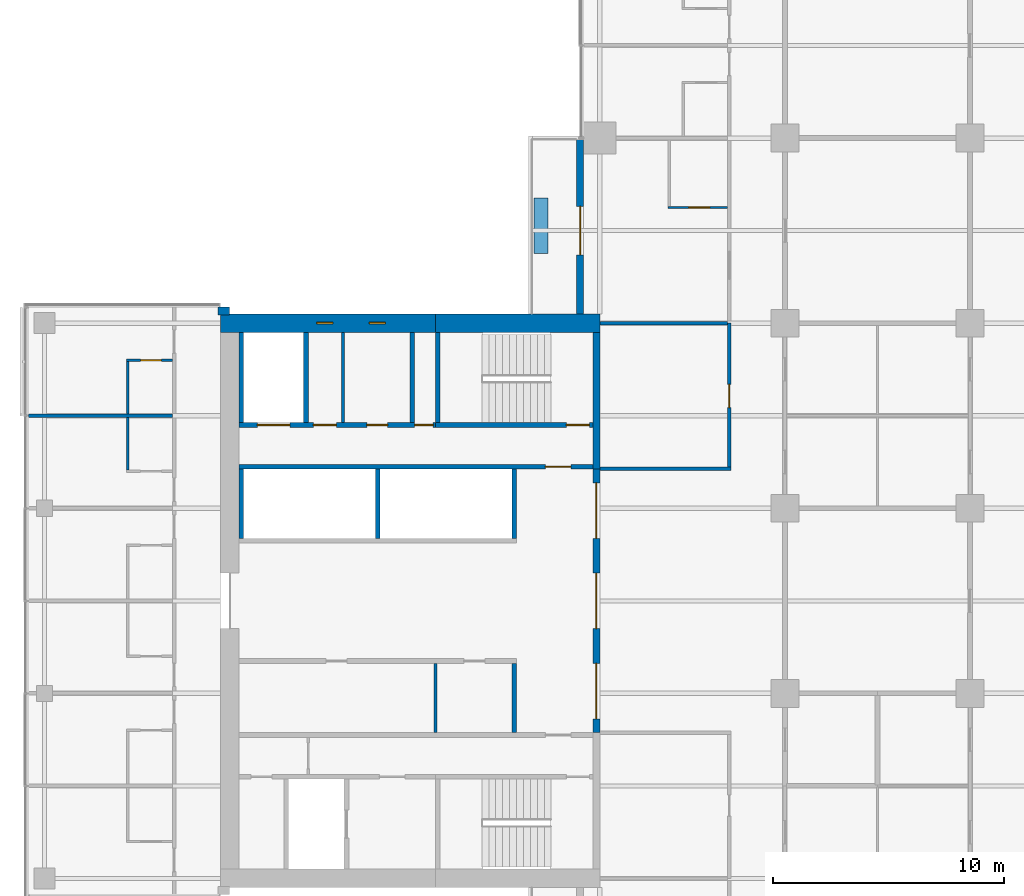
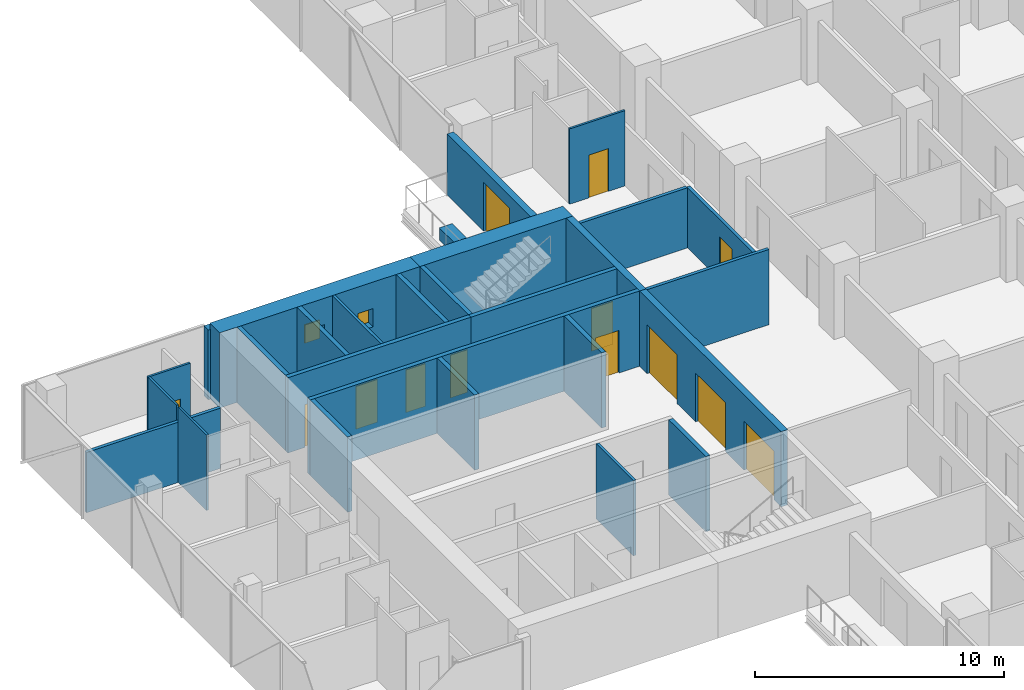
# One storey, part 19 of 29: 28 walls, 13 doors, 2 windows, 15 openings.
"""IFC4 building model written with IfcOpenShell, lengths in metres."""

from ifc_helpers import new_model, si_unit, direction, frame, frame_2d, origin, place, context, subcontext, project, spatial, rectangle, extrude, material, layer, layer_set, constituent, constituent_set, type_object, element, fill, save


model = new_model("IFC4")

# Units and contexts
model_context = context("Model", 3, precision=1e-05, world=origin(), true_north=direction((0.0, 1.0)))
body_context = subcontext(model_context, "Body", "Model", "MODEL_VIEW")
ifc_project = project(units=[si_unit("LENGTHUNIT", "METRE"), si_unit("AREAUNIT", "SQUARE_METRE"), si_unit("VOLUMEUNIT", "CUBIC_METRE"), si_unit("PLANEANGLEUNIT", "RADIAN"), si_unit("MASSUNIT", "GRAM", prefix="KILO")], contexts=[model_context])

# Site, building, storey
site_placement = place(None, origin())
site = spatial("IfcSite", under=ifc_project, at=site_placement, CompositionType="ELEMENT")
building_placement = place(site_placement, origin())
building = spatial("IfcBuilding", under=site, at=building_placement, Name="Crosswind Convention Tower", CompositionType="ELEMENT")
storey_placement = place(building_placement, frame((0.0, 0.0, 57.199951171875)))
storey = spatial("IfcBuildingStorey", under=building, at=storey_placement, Name="L08", CompositionType="ELEMENT", Elevation=57.199951171875)

# Walls
ifc_material_1 = material(Name="Concrete blockwork", Category="masonry")
ifc_layer_1 = layer(ifc_material_1, 0.199951171875)
ifc_layer_set_1 = layer_set([ifc_layer_1], Name="Blockwork partition wall 200")
wall_type_1 = type_object("IfcWallType", Name="Blockwork partition wall 200", PredefinedType="PARTITIONING", material=ifc_layer_set_1)
wall_1_placement = place(storey_placement, frame((104.89990234375, 111.60009765625, 0.0), z_axis=(0.0, 0.0, 1.0), x_axis=(0.0, -1.0, 0.0)))
element("IfcWall", 1, at=wall_1_placement, inside=storey, type_object=wall_type_1, Name="Wall MRSE W L08", PredefinedType="PARTITIONING", context=body_context, shape_type="SweptSolid", body=[
    extrude(rectangle(XDim=3.900146484375, YDim=0.199951171875, at=frame_2d((1.9501953125, 0.0))), origin(), (0.0, 0.0, 1.0), 3.699951171875),
])
ifc_material_2 = material(Name="Plasterboard partition", Category="gypsum")
ifc_layer_2 = layer(ifc_material_2, 0.14990234375)
ifc_layer_set_2 = layer_set([ifc_layer_2], Name="CORRIDOR WALL 150")
wall_type_2 = type_object("IfcWallType", Name="CORRIDOR WALL 150", PredefinedType="PARTITIONING", material=ifc_layer_set_2)
wall_2_placement = place(storey_placement, frame((113.0, 105.699951171875, 0.0), z_axis=(0.0, 0.0, 1.0), x_axis=(1.0, 0.0, 0.0)))
element("IfcWall", 2, at=wall_2_placement, inside=storey, type_object=wall_type_2, Name="Corridor Wall 54", PredefinedType="PARTITIONING", context=body_context, shape_type="SweptSolid", body=[
    extrude(rectangle(XDim=5.675048828125, YDim=0.14990234375, at=frame_2d((2.83740234375, 0.0))), origin(), (0.0, 0.0, 1.0), 3.699951171875),
])

# Wall, opening, door
wall_3_placement = place(storey_placement, frame((118.60009765625, 105.77490234375, 0.0), z_axis=(0.0, 0.0, 1.0), x_axis=(0.0, 1.0, 0.0)))
wall_3 = element("IfcWall", 3, at=wall_3_placement, inside=storey, type_object=wall_type_2, Name="Corridor Wall 105", PredefinedType="PARTITIONING", context=body_context, shape_type="SweptSolid", body=[
    extrude(rectangle(XDim=6.22509765625, YDim=0.14990234375, at=frame_2d((3.112548828125, 0.0))), origin(), (0.0, 0.0, 1.0), 2.95654296875),
])
opening_1_placement = place(wall_3_placement, frame((2.574951171875, 0.0, 0.0)))
opening_1 = element("IfcOpeningElement", 4, at=opening_1_placement, cuts=wall_3, Name="Opening 08.003", PredefinedType="OPENING", context=body_context, shape_type="SweptSolid", body=[
    extrude(rectangle(XDim=1.0, YDim=2.10009765625, at=frame_2d((0.5, 1.050048828125))), frame((0.0, 0.0849609375, 0.0), z_axis=(0.0, -1.0, 0.0), x_axis=(1.0, 0.0, 0.0)), (0.0, 0.0, 1.0), 0.169921875),
])
ifc_material_3 = material(Name="Timber fire door", Category="wood")
door_type_1 = type_object("IfcDoorType", Name="SERVICE ROOM DOOR 1000X2100", OperationType="NOTDEFINED", PredefinedType="DOOR", material=ifc_material_3)
door_1_placement = place(opening_1_placement, origin())
door_1 = element("IfcDoor", 5, at=door_1_placement, inside=storey, type_object=door_type_1, Name="Door 08.003", ObjectType="D3", OperationType="SINGLE_SWING_RIGHT", OverallHeight=2.10009765625, OverallWidth=1.0, PredefinedType="DOOR", context=body_context, shape_type="SweptSolid", body=[
    extrude(rectangle(XDim=1.0, YDim=2.10009765625, at=frame_2d((0.5, 1.050048828125))), frame((0.0, 0.02490234375, 0.0), z_axis=(0.0, -1.0, 0.0), x_axis=(1.0, 0.0, 0.0)), (0.0, 0.0, 1.0), 0.050048828125),
])
fill(opening_1, door_1)

# Wall, openings, doors
ifc_material_4 = material(Name="Concrete C50/60", Category="concrete")
ifc_layer_3 = layer(ifc_material_4, 0.300048828125)
ifc_layer_set_3 = layer_set([ifc_layer_3], Name="Concrete C50/60")
wall_type_3 = type_object("IfcWallType", Name="Concrete inner core wall 300", PredefinedType="SHEAR", material=ifc_layer_set_3)
wall_4_placement = place(storey_placement, frame((112.85009765625, 105.699951171875, 0.0), z_axis=(0.0, 0.0, 1.0), x_axis=(0.0, -1.0, 0.0)))
wall_4 = element("IfcWall", 6, at=wall_4_placement, inside=storey, type_object=wall_type_3, Name="Wall SCR W L08", PredefinedType="SHEAR", context=body_context, shape_type="SweptSolid", body=[
    extrude(rectangle(XDim=11.39990234375, YDim=0.300048828125, at=frame_2d((5.699951171875, 0.0))), origin(), (0.0, 0.0, 1.0), 3.699951171875),
])
opening_2_placement = place(wall_4_placement, frame((0.60009765625, 0.0, 0.0)))
opening_2 = element("IfcOpeningElement", 7, at=opening_2_placement, cuts=wall_4, Name="Opening D100", PredefinedType="OPENING", context=body_context, shape_type="SweptSolid", body=[
    extrude(rectangle(XDim=2.39990234375, YDim=2.39990234375, at=frame_2d((1.199951171875, 1.199951171875))), frame((0.0, 0.159912109375, 0.0), z_axis=(0.0, -1.0, 0.0), x_axis=(1.0, 0.0, 0.0)), (0.0, 0.0, 1.0), 0.320068359375),
])
opening_3_placement = place(wall_4_placement, frame((4.5, 0.0, 0.0)))
opening_3 = element("IfcOpeningElement", 8, at=opening_3_placement, cuts=wall_4, Name="Opening D100", PredefinedType="OPENING", context=body_context, shape_type="SweptSolid", body=[
    extrude(rectangle(XDim=2.39990234375, YDim=2.39990234375, at=frame_2d((1.199951171875, 1.199951171875))), frame((0.0, 0.159912109375, 0.0), z_axis=(0.0, -1.0, 0.0), x_axis=(1.0, 0.0, 0.0)), (0.0, 0.0, 1.0), 0.320068359375),
])
opening_4_placement = place(wall_4_placement, frame((8.39990234375, 0.0, 0.0)))
opening_4 = element("IfcOpeningElement", 9, at=opening_4_placement, cuts=wall_4, Name="Opening D100", PredefinedType="OPENING", context=body_context, shape_type="SweptSolid", body=[
    extrude(rectangle(XDim=2.39990234375, YDim=2.39990234375, at=frame_2d((1.199951171875, 1.199951171875))), frame((0.0, 0.159912109375, 0.0), z_axis=(0.0, -1.0, 0.0), x_axis=(1.0, 0.0, 0.0)), (0.0, 0.0, 1.0), 0.320068359375),
])
ifc_material_5 = material(Name="Steel fire door with glazed vision panels", Category="steel")
door_type_2 = type_object("IfcDoorType", Name="Fire-rated double door 2400x2400", OperationType="DOUBLE_DOOR_SINGLE_SWING", PredefinedType="DOOR", material=ifc_material_5)
door_2_placement = place(opening_2_placement, origin())
door_2 = element("IfcDoor", 10, at=door_2_placement, inside=storey, type_object=door_type_2, Name="Lobby door 1 L08", ObjectType="D100", OperationType="DOUBLE_DOOR_SINGLE_SWING", OverallHeight=2.39990234375, OverallWidth=2.39990234375, PredefinedType="DOOR", context=body_context, shape_type="SweptSolid", body=[
    extrude(rectangle(XDim=2.39990234375, YDim=2.39990234375, at=frame_2d((1.199951171875, 1.199951171875))), frame((0.0, 0.02490234375, 0.0), z_axis=(0.0, -1.0, 0.0), x_axis=(1.0, 0.0, 0.0)), (0.0, 0.0, 1.0), 0.050048828125),
])
fill(opening_2, door_2)
door_3_placement = place(opening_3_placement, origin())
door_3 = element("IfcDoor", 11, at=door_3_placement, inside=storey, type_object=door_type_2, Name="Lobby door 2 L08", ObjectType="D100", OperationType="DOUBLE_DOOR_SINGLE_SWING", OverallHeight=2.39990234375, OverallWidth=2.39990234375, PredefinedType="DOOR", context=body_context, shape_type="SweptSolid", body=[
    extrude(rectangle(XDim=2.39990234375, YDim=2.39990234375, at=frame_2d((1.199951171875, 1.199951171875))), frame((0.0, 0.02490234375, 0.0), z_axis=(0.0, -1.0, 0.0), x_axis=(1.0, 0.0, 0.0)), (0.0, 0.0, 1.0), 0.050048828125),
])
fill(opening_3, door_3)
door_4_placement = place(opening_4_placement, origin())
door_4 = element("IfcDoor", 12, at=door_4_placement, inside=storey, type_object=door_type_2, Name="Lobby door 3 L08", ObjectType="D100", OperationType="DOUBLE_DOOR_SINGLE_SWING", OverallHeight=2.39990234375, OverallWidth=2.39990234375, PredefinedType="DOOR", context=body_context, shape_type="SweptSolid", body=[
    extrude(rectangle(XDim=2.39990234375, YDim=2.39990234375, at=frame_2d((1.199951171875, 1.199951171875))), frame((0.0, 0.02490234375, 0.0), z_axis=(0.0, -1.0, 0.0), x_axis=(1.0, 0.0, 0.0)), (0.0, 0.0, 1.0), 0.050048828125),
])
fill(opening_4, door_4)

# Walls
wall_5_placement = place(storey_placement, frame((112.85009765625, 111.60009765625, 0.0), z_axis=(0.0, 0.0, 1.0), x_axis=(0.0, -1.0, 0.0)))
element("IfcWall", 13, at=wall_5_placement, inside=storey, type_object=wall_type_3, Name="Wall EM W L08", PredefinedType="SHEAR", context=body_context, shape_type="SweptSolid", body=[
    extrude(rectangle(XDim=5.900146484375, YDim=0.300048828125, at=frame_2d((2.9501953125, 0.0))), origin(), (0.0, 0.0, 1.0), 3.699951171875),
])
ifc_layer_4 = layer(ifc_material_4, 0.199951171875)
ifc_layer_set_4 = layer_set([ifc_layer_4], Name="Concrete C50/60")
wall_type_4 = type_object("IfcWallType", Name="Concrete shaft and stair wall 200", PredefinedType="SHEAR", material=ifc_layer_set_4)
for number, where, z_axis, x_axis, name in (
    (14, (109.300048828125, 97.300048828125, 0.0), (0.0, 0.0, 1.0), (0.0, -1.0, 0.0), "Wall RPEND W L08"),
    (15, (109.300048828125, 105.699951171875, 0.0), (0.0, 0.0, 1.0), (0.0, -1.0, 0.0), "Wall RMEND W L08"),
    (16, (103.39990234375, 105.699951171875, 0.0), (0.0, 0.0, 1.0), (0.0, -1.0, 0.0), "Wall RMSEP W L08"),
    (17, (97.5, 105.699951171875, 0.0), (0.0, 0.0, 1.0), (0.0, -1.0, 0.0), "Wall RMEAST W L08"),
):
    element("IfcWall", number, at=place(storey_placement, frame(where, z_axis=z_axis, x_axis=x_axis)), inside=storey, type_object=wall_type_4, Name=name, PredefinedType="SHEAR", context=body_context, shape_type="SweptSolid", body=[
        extrude(rectangle(XDim=3.0, YDim=0.199951171875, at=frame_2d((1.5, 0.0))), origin(), (0.0, 0.0, 1.0), 3.699951171875),
    ])

# Wall, opening, door
wall_6_placement = place(storey_placement, frame((112.699951171875, 105.800048828125, 0.0), z_axis=(0.0, 0.0, 1.0), x_axis=(-1.0, 0.0, 0.0)))
wall_6 = element("IfcWall", 18, at=wall_6_placement, inside=storey, type_object=wall_type_4, Name="Wall HM W L08", PredefinedType="SHEAR", context=body_context, shape_type="SweptSolid", body=[
    extrude(rectangle(XDim=15.300048828125, YDim=0.199951171875, at=frame_2d((7.64990234375, 0.0))), origin(), (0.0, 0.0, 1.0), 3.699951171875),
])
opening_5_placement = place(wall_6_placement, frame((0.949951171875, 0.0, 0.0)))
opening_5 = element("IfcOpeningElement", 19, at=opening_5_placement, cuts=wall_6, Name="Opening D104", PredefinedType="OPENING", context=body_context, shape_type="SweptSolid", body=[
    extrude(rectangle(XDim=1.10009765625, YDim=2.10009765625, at=frame_2d((0.550048828125, 1.050048828125))), frame((0.0, 0.10986328125, 0.0), z_axis=(0.0, -1.0, 0.0), x_axis=(1.0, 0.0, 0.0)), (0.0, 0.0, 1.0), 0.219970703125),
])
ifc_material_6 = material(Name="Steel fire door", Category="steel")
door_type_3 = type_object("IfcDoorType", Name="Fire-rated single door 1100x2100", OperationType="NOTDEFINED", PredefinedType="DOOR", material=ifc_material_6)
door_5_placement = place(opening_5_placement, origin())
door_5 = element("IfcDoor", 20, at=door_5_placement, inside=storey, type_object=door_type_3, Name="Corridor door L08", ObjectType="D104", OperationType="SINGLE_SWING_LEFT", OverallHeight=2.10009765625, OverallWidth=1.10009765625, PredefinedType="DOOR", context=body_context, shape_type="SweptSolid", body=[
    extrude(rectangle(XDim=1.10009765625, YDim=2.10009765625, at=frame_2d((0.550048828125, 1.050048828125))), frame((0.0, 0.02490234375, 0.0), z_axis=(0.0, -1.0, 0.0), x_axis=(1.0, 0.0, 0.0)), (0.0, 0.0, 1.0), 0.050048828125),
])
fill(opening_5, door_5)

# Walls
for number, where, z_axis, x_axis, name in (
    (21, (106.0, 111.60009765625, 0.0), (0.0, 0.0, 1.0), (0.0, -1.0, 0.0), "Wall MSE W L08"),
    (22, (100.300048828125, 111.60009765625, 0.0), (0.0, 0.0, 1.0), (0.0, -1.0, 0.0), "Wall MFSW W L08"),
    (23, (97.5, 111.60009765625, 0.0), (0.0, 0.0, 1.0), (0.0, -1.0, 0.0), "Wall MFSE W L08"),
):
    element("IfcWall", number, at=place(storey_placement, frame(where, z_axis=z_axis, x_axis=x_axis)), inside=storey, type_object=wall_type_4, Name=name, PredefinedType="SHEAR", context=body_context, shape_type="SweptSolid", body=[
        extrude(rectangle(XDim=3.900146484375, YDim=0.199951171875, at=frame_2d((1.9501953125, 0.0))), origin(), (0.0, 0.0, 1.0), 3.699951171875),
    ])

# Wall, opening, door
wall_7_placement = place(storey_placement, frame((112.699951171875, 107.60009765625, 0.0), z_axis=(0.0, 0.0, 1.0), x_axis=(-1.0, 0.0, 0.0)))
wall_7 = element("IfcWall", 24, at=wall_7_placement, inside=storey, type_object=wall_type_4, Name="Wall MCW W L08", PredefinedType="SHEAR", context=body_context, shape_type="SweptSolid", body=[
    extrude(rectangle(XDim=6.800048828125, YDim=0.199951171875, at=frame_2d((3.39990234375, 0.0))), origin(), (0.0, 0.0, 1.0), 3.699951171875),
])
opening_6_placement = place(wall_7_placement, frame((0.14990234375, 0.0, 0.0)))
opening_6 = element("IfcOpeningElement", 25, at=opening_6_placement, cuts=wall_7, Name="Opening D103", PredefinedType="OPENING", context=body_context, shape_type="SweptSolid", body=[
    extrude(rectangle(XDim=1.0, YDim=2.10009765625, at=frame_2d((0.5, 1.050048828125))), frame((0.0, 0.10986328125, 0.0), z_axis=(0.0, -1.0, 0.0), x_axis=(1.0, 0.0, 0.0)), (0.0, 0.0, 1.0), 0.219970703125),
])
door_type_4 = type_object("IfcDoorType", Name="Fire-rated single door 1000x2100", OperationType="NOTDEFINED", PredefinedType="DOOR", material=ifc_material_6)
door_6_placement = place(opening_6_placement, frame((1.0, 0.0, 0.0), z_axis=(0.0, 0.0, 1.0), x_axis=(-1.0, 0.0, 0.0)))
door_6 = element("IfcDoor", 26, at=door_6_placement, inside=storey, type_object=door_type_4, Name="Stair ST4 door L08", ObjectType="D103", OperationType="SINGLE_SWING_RIGHT", OverallHeight=2.10009765625, OverallWidth=1.0, PredefinedType="DOOR", context=body_context, shape_type="SweptSolid", body=[
    extrude(rectangle(XDim=1.0, YDim=2.10009765625, at=frame_2d((0.5, 1.050048828125))), frame((0.0, 0.02490234375, 0.0), z_axis=(0.0, -1.0, 0.0), x_axis=(1.0, 0.0, 0.0)), (0.0, 0.0, 1.0), 0.050048828125),
])
fill(opening_6, door_6)

# Wall, openings, doors
wall_8_placement = place(storey_placement, frame((105.89990234375, 107.60009765625, 0.0), z_axis=(0.0, 0.0, 1.0), x_axis=(-1.0, 0.0, 0.0)))
wall_8 = element("IfcWall", 27, at=wall_8_placement, inside=storey, type_object=wall_type_4, Name="Wall MCX W L08", PredefinedType="SHEAR", context=body_context, shape_type="SweptSolid", body=[
    extrude(rectangle(XDim=8.5, YDim=0.199951171875, at=frame_2d((4.25, 0.0))), origin(), (0.0, 0.0, 1.0), 3.699951171875),
])
opening_7_placement = place(wall_8_placement, frame((0.10009765625, 0.0, 0.0)))
opening_7 = element("IfcOpeningElement", 28, at=opening_7_placement, cuts=wall_8, Name="Opening D105", PredefinedType="OPENING", context=body_context, shape_type="SweptSolid", body=[
    extrude(rectangle(XDim=0.800048828125, YDim=2.10009765625, at=frame_2d((0.39990234375, 1.050048828125))), frame((0.0, 0.10986328125, 0.0), z_axis=(0.0, -1.0, 0.0), x_axis=(1.0, 0.0, 0.0)), (0.0, 0.0, 1.0), 0.219970703125),
])
opening_8_placement = place(wall_8_placement, frame((2.07080078125, 0.0, 0.0)))
opening_8 = element("IfcOpeningElement", 29, at=opening_8_placement, cuts=wall_8, Name="Opening D106", PredefinedType="OPENING", context=body_context, shape_type="SweptSolid", body=[
    extrude(rectangle(XDim=0.89990234375, YDim=2.10009765625, at=frame_2d((0.449951171875, 1.050048828125))), frame((0.0, 0.10986328125, 0.0), z_axis=(0.0, -1.0, 0.0), x_axis=(1.0, 0.0, 0.0)), (0.0, 0.0, 1.0), 0.219970703125),
])
opening_9_placement = place(wall_8_placement, frame((4.283203125, 0.0, 0.0)))
opening_9 = element("IfcOpeningElement", 30, at=opening_9_placement, cuts=wall_8, Name="Opening D103", PredefinedType="OPENING", context=body_context, shape_type="SweptSolid", body=[
    extrude(rectangle(XDim=1.0, YDim=2.10009765625, at=frame_2d((0.5, 1.050048828125))), frame((0.0, 0.10986328125, 0.0), z_axis=(0.0, -1.0, 0.0), x_axis=(1.0, 0.0, 0.0)), (0.0, 0.0, 1.0), 0.219970703125),
])
opening_10_placement = place(wall_8_placement, frame((6.300048828125, 0.0, 0.0)))
opening_10 = element("IfcOpeningElement", 31, at=opening_10_placement, cuts=wall_8, Name="Opening LD2", PredefinedType="OPENING", context=body_context, shape_type="SweptSolid", body=[
    extrude(rectangle(XDim=1.39990234375, YDim=2.10009765625, at=frame_2d((0.699951171875, 1.050048828125))), frame((0.0, 0.10986328125, 0.0), z_axis=(0.0, -1.0, 0.0), x_axis=(1.0, 0.0, 0.0)), (0.0, 0.0, 1.0), 0.219970703125),
])
door_7_placement = place(opening_9_placement, frame((1.0, 0.0, 0.0), z_axis=(0.0, 0.0, 1.0), x_axis=(-1.0, 0.0, 0.0)))
door_7 = element("IfcDoor", 32, at=door_7_placement, inside=storey, type_object=door_type_4, Name="Door to accessible wc L08", ObjectType="D103", OperationType="SINGLE_SWING_LEFT", OverallHeight=2.10009765625, OverallWidth=1.0, PredefinedType="DOOR", context=body_context, shape_type="SweptSolid", body=[
    extrude(rectangle(XDim=1.0, YDim=2.10009765625, at=frame_2d((0.5, 1.050048828125))), frame((0.0, 0.02490234375, 0.0), z_axis=(0.0, -1.0, 0.0), x_axis=(1.0, 0.0, 0.0)), (0.0, 0.0, 1.0), 0.050048828125),
])
fill(opening_9, door_7)
ifc_material_7 = material(Name="Stainless steel", Category="steel")
door_type_5 = type_object("IfcDoorType", Name="Lift landing door 1400x2100", OperationType="DOUBLE_DOOR_SLIDING", PredefinedType="DOOR", material=ifc_material_7)
door_8_placement = place(opening_10_placement, origin())
door_8 = element("IfcDoor", 33, at=door_8_placement, inside=storey, type_object=door_type_5, Name="Landing door SV2 L08", ObjectType="LD2", OperationType="DOUBLE_DOOR_SLIDING", OverallHeight=2.10009765625, OverallWidth=1.39990234375, PredefinedType="DOOR", context=body_context, shape_type="SweptSolid", body=[
    extrude(rectangle(XDim=1.39990234375, YDim=2.10009765625, at=frame_2d((0.699951171875, 1.050048828125))), frame((0.0, 0.02490234375, 0.0), z_axis=(0.0, -1.0, 0.0), x_axis=(1.0, 0.0, 0.0)), (0.0, 0.0, 1.0), 0.050048828125),
])
fill(opening_10, door_8)
door_type_6 = type_object("IfcDoorType", Name="Riser access door 800x2100", OperationType="NOTDEFINED", PredefinedType="DOOR", material=ifc_material_6)
door_9_placement = place(opening_7_placement, frame((0.800048828125, 0.0, 0.0), z_axis=(0.0, 0.0, 1.0), x_axis=(-1.0, 0.0, 0.0)))
door_9 = element("IfcDoor", 34, at=door_9_placement, inside=storey, type_object=door_type_6, Name="Riser door L08", ObjectType="D105", OperationType="SINGLE_SWING_LEFT", OverallHeight=2.10009765625, OverallWidth=0.800048828125, PredefinedType="DOOR", context=body_context, shape_type="SweptSolid", body=[
    extrude(rectangle(XDim=0.800048828125, YDim=2.10009765625, at=frame_2d((0.39990234375, 1.050048828125))), frame((0.0, 0.02490234375, 0.0), z_axis=(0.0, -1.0, 0.0), x_axis=(1.0, 0.0, 0.0)), (0.0, 0.0, 1.0), 0.050048828125),
])
fill(opening_7, door_9)
ifc_material_8 = material(Name="Timber door", Category="wood")
door_type_7 = type_object("IfcDoorType", Name="Single leaf door 900x2100", OperationType="NOTDEFINED", PredefinedType="DOOR", material=ifc_material_8)
door_10_placement = place(opening_8_placement, frame((0.89990234375, 0.0, 0.0), z_axis=(0.0, 0.0, 1.0), x_axis=(-1.0, 0.0, 0.0)))
door_10 = element("IfcDoor", 35, at=door_10_placement, inside=storey, type_object=door_type_7, Name="Door to wc L08", ObjectType="D106", OperationType="SINGLE_SWING_LEFT", OverallHeight=2.10009765625, OverallWidth=0.89990234375, PredefinedType="DOOR", context=body_context, shape_type="SweptSolid", body=[
    extrude(rectangle(XDim=0.89990234375, YDim=2.10009765625, at=frame_2d((0.449951171875, 1.050048828125))), frame((0.0, 0.02490234375, 0.0), z_axis=(0.0, -1.0, 0.0), x_axis=(1.0, 0.0, 0.0)), (0.0, 0.0, 1.0), 0.050048828125),
])
fill(opening_8, door_10)

# Walls
ifc_material_9 = material(Name="Gypsum plasterboard partition", Category="gypsum")
ifc_layer_5 = layer(ifc_material_9, 0.125)
ifc_layer_set_5 = layer_set([ifc_layer_5], Name="Drywall partition wall 125")
wall_type_5 = type_object("IfcWallType", Name="Drywall partition wall 125", PredefinedType="PARTITIONING", material=ifc_layer_set_5)
wall_9_placement = place(storey_placement, frame((105.89599609375, 97.300048828125, 0.0), z_axis=(0.0, 0.0, 1.0), x_axis=(0.0, -1.0, 0.0)))
element("IfcWall", 36, at=wall_9_placement, inside=storey, type_object=wall_type_5, Name="Wall RPP1 W L08", PredefinedType="PARTITIONING", context=body_context, shape_type="SweptSolid", body=[
    extrude(rectangle(XDim=3.0, YDim=0.125, at=frame_2d((1.5, 0.0))), origin(), (0.0, 0.0, 1.0), 3.699951171875),
])
wall_10_placement = place(storey_placement, frame((101.89599609375, 111.60009765625, 0.0), z_axis=(0.0, 0.0, 1.0), x_axis=(0.0, -1.0, 0.0)))
element("IfcWall", 37, at=wall_10_placement, inside=storey, type_object=wall_type_5, Name="Wall MWP1 W L08", PredefinedType="PARTITIONING", context=body_context, shape_type="SweptSolid", body=[
    extrude(rectangle(XDim=3.900146484375, YDim=0.125, at=frame_2d((1.9501953125, 0.0))), origin(), (0.0, 0.0, 1.0), 3.699951171875),
])
ifc_material_10 = material(Name="Acoustic plasterboard partition", Category="gypsum")
ifc_layer_6 = layer(ifc_material_10, 0.14990234375)
ifc_layer_set_6 = layer_set([ifc_layer_6], Name="GUEST ROOM WALL 150")
wall_type_6 = type_object("IfcWallType", Name="GUEST ROOM WALL 150", PredefinedType="PARTITIONING", material=ifc_layer_set_6)
wall_11_placement = place(storey_placement, frame((88.300048828125, 108.0, 0.0), z_axis=(0.0, 0.0, 1.0), x_axis=(1.0, 0.0, 0.0)))
element("IfcWall", 38, at=wall_11_placement, inside=storey, type_object=wall_type_6, Name="Guest Room Wall 56", PredefinedType="PARTITIONING", context=body_context, shape_type="SweptSolid", body=[
    extrude(rectangle(XDim=6.224853515625, YDim=0.14990234375, at=frame_2d((3.1123046875, 0.0))), origin(), (0.0, 0.0, 1.0), 2.962890625),
])
wall_12_placement = place(storey_placement, frame((113.0, 112.0, 0.0), z_axis=(0.0, 0.0, 1.0), x_axis=(1.0, 0.0, 0.0)))
element("IfcWall", 39, at=wall_12_placement, inside=storey, type_object=wall_type_6, Name="Guest Room Wall 61", PredefinedType="PARTITIONING", context=body_context, shape_type="SweptSolid", body=[
    extrude(rectangle(XDim=5.52490234375, YDim=0.14990234375, at=frame_2d((2.762451171875, 0.0))), origin(), (0.0, 0.0, 1.0), 2.95654296875),
])
ifc_material_11 = material(Name="Concrete C30/37", Category="concrete")
ifc_layer_7 = layer(ifc_material_11, 0.60009765625)
ifc_layer_set_7 = layer_set([ifc_layer_7], Name="Concrete C30/37")
wall_type_7 = type_object("IfcWallType", Name="PLANTER BOX WALL 600", PredefinedType="SOLIDWALL", material=ifc_layer_set_7)
wall_13_placement = place(storey_placement, frame((110.449951171875, 117.39990234375, 0.0), z_axis=(0.0, 0.0, 1.0), x_axis=(0.0, -1.0, 0.0)))
element("IfcWall", 40, at=wall_13_placement, inside=storey, type_object=wall_type_7, Name="PLANTER L08 N-W.1-3", PredefinedType="SOLIDWALL", context=body_context, shape_type="SweptSolid", body=[
    extrude(rectangle(XDim=2.39990234375, YDim=0.60009765625, at=frame_2d((1.199951171875, 0.0))), origin(), (0.0, 0.0, 1.0), 0.60009765625),
])
ifc_material_12 = material(Name="Terracotta rainscreen", Category="ceramic")
ifc_layer_8 = layer(ifc_material_12, 0.02001953125)
ifc_material_13 = material(Name="Mineral wool insulation", Category="insulation")
ifc_layer_9 = layer(ifc_material_13, 0.10009765625)
ifc_layer_10 = layer(ifc_material_1, 0.236083984375)
ifc_layer_set_8 = layer_set([ifc_layer_8, ifc_layer_9, ifc_layer_10], Name="TERRACOTTA CORNER INFILL WALL 356")
wall_type_8 = type_object("IfcWallType", Name="TERRACOTTA CORNER INFILL WALL 356", PredefinedType="SOLIDWALL", material=ifc_layer_set_8)
wall_14_placement = place(storey_placement, frame((96.4951171875, 112.52197265625, 0.0), z_axis=(0.0, 0.0, 1.0), x_axis=(1.0, 0.0, 0.0)))
element("IfcWall", 41, at=wall_14_placement, inside=storey, type_object=wall_type_8, Name="Core corner infill wall L08 2", PredefinedType="SOLIDWALL", context=body_context, shape_type="SweptSolid", body=[
    extrude(rectangle(XDim=0.5048828125, YDim=0.35595703125, at=frame_2d((0.25244140625, 0.0))), origin(), (0.0, 0.0, 1.0), 3.420166015625),
])

# Wall, opening, door
ifc_layer_11 = layer(ifc_material_12, 0.02001953125)
ifc_layer_12 = layer(ifc_material_13, 0.10009765625)
ifc_layer_13 = layer(ifc_material_1, 0.179931640625)
ifc_layer_set_9 = layer_set([ifc_layer_11, ifc_layer_12, ifc_layer_13], Name="TERRACOTTA INFILL WALL 300")
wall_type_9 = type_object("IfcWallType", Name="TERRACOTTA INFILL WALL 300", PredefinedType="SOLIDWALL", material=ifc_layer_set_9)
wall_15_placement = place(storey_placement, frame((112.14990234375, 119.967529296875, 0.0), z_axis=(0.0, 0.0, 1.0), x_axis=(0.0, -1.0, 0.0)))
wall_15 = element("IfcWall", 42, at=wall_15_placement, inside=storey, type_object=wall_type_9, Name="Notch front wall L08 N-W.1-3", PredefinedType="SOLIDWALL", context=body_context, shape_type="SweptSolid", body=[
    extrude(rectangle(XDim=7.567626953125, YDim=0.300048828125, at=frame_2d((3.78369140625, 0.0))), origin(), (0.0, 0.0, 1.0), 3.013671875),
])
opening_11_placement = place(wall_15_placement, frame((2.91748046875, 0.0, 0.0)))
opening_11 = element("IfcOpeningElement", 43, at=opening_11_placement, cuts=wall_15, Name="Opening D141", PredefinedType="OPENING", context=body_context, shape_type="SweptSolid", body=[
    extrude(rectangle(XDim=2.10009765625, YDim=2.39990234375, at=frame_2d((1.050048828125, 1.199951171875))), frame((0.0, 0.159912109375, 0.0), z_axis=(0.0, -1.0, 0.0), x_axis=(1.0, 0.0, 0.0)), (0.0, 0.0, 1.0), 0.320068359375),
])
ifc_material_14 = material(Name="Aluminium glazed door", Category="aluminium")
door_type_8 = type_object("IfcDoorType", Name="BALCONY SLIDING DOOR 2100X2400", OperationType="SLIDING_TO_LEFT", PredefinedType="DOOR", material=ifc_material_14)
door_11_placement = place(opening_11_placement, frame((2.10009765625, 0.0, 0.0), z_axis=(0.0, 0.0, 1.0), x_axis=(-1.0, 0.0, 0.0)))
door_11 = element("IfcDoor", 44, at=door_11_placement, inside=storey, type_object=door_type_8, Name="D141 balcony door L08 N-W.1-3", ObjectType="D141", OperationType="SLIDING_TO_LEFT", OverallHeight=2.39990234375, OverallWidth=2.10009765625, PredefinedType="DOOR", context=body_context, shape_type="SweptSolid", body=[
    extrude(rectangle(XDim=2.10009765625, YDim=2.39990234375, at=frame_2d((1.050048828125, 1.199951171875))), frame((0.0, 0.02490234375, 0.0), z_axis=(0.0, -1.0, 0.0), x_axis=(1.0, 0.0, 0.0)), (0.0, 0.0, 1.0), 0.050048828125),
])
fill(opening_11, door_11)

# Wall
ifc_material_15 = material(Name="Concrete C60/75", Category="concrete")
ifc_constituent_1 = constituent(ifc_material_15, Name="Structure")
ifc_constituent_2 = constituent(ifc_material_12, Name="Facing")
ifc_constituent_set = constituent_set(constituents=[ifc_constituent_1, ifc_constituent_2], Name="Concrete C60/75, Terracotta rainscreen")
wall_type_10 = type_object("IfcWallType", Name="Terracotta rainscreen on concrete core wall 800", PredefinedType="SHEAR", material=ifc_constituent_set)
wall_16_placement = place(storey_placement, frame((113.0, 112.0, 0.0), z_axis=(0.0, 0.0, 1.0), x_axis=(-1.0, 0.0, 0.0)))
element("IfcWall", 45, at=wall_16_placement, inside=storey, type_object=wall_type_10, Name="Wall S1 W L08", PredefinedType="SHEAR", context=body_context, shape_type="SweptSolid", body=[
    extrude(rectangle(XDim=7.10009765625, YDim=0.800048828125, at=frame_2d((3.550048828125, 0.0))), origin(), (0.0, 0.0, 1.0), 3.699951171875),
])

# Wall, openings, windows
wall_17_placement = place(storey_placement, frame((105.89990234375, 112.0, 0.0), z_axis=(0.0, 0.0, 1.0), x_axis=(-1.0, 0.0, 0.0)))
wall_17 = element("IfcWall", 46, at=wall_17_placement, inside=storey, type_object=wall_type_10, Name="Wall S2 W L08", PredefinedType="SHEAR", context=body_context, shape_type="SweptSolid", body=[
    extrude(rectangle(XDim=9.2998046875, YDim=0.800048828125, at=frame_2d((4.64990234375, 0.0))), origin(), (0.0, 0.0, 1.0), 3.699951171875),
])
opening_12_placement = place(wall_17_placement, frame((2.170654296875, 0.0, 1.5)))
opening_12 = element("IfcOpeningElement", 47, at=opening_12_placement, cuts=wall_17, Name="Opening W2", PredefinedType="OPENING", context=body_context, shape_type="SweptSolid", body=[
    extrude(rectangle(XDim=0.699951171875, YDim=0.89990234375, at=frame_2d((0.35009765625, 0.449951171875))), frame((0.0, 0.409912109375, 0.0), z_axis=(0.0, -1.0, 0.0), x_axis=(1.0, 0.0, 0.0)), (0.0, 0.0, 1.0), 0.820068359375),
])
opening_13_placement = place(wall_17_placement, frame((4.433349609375, 0.0, 1.5)))
opening_13 = element("IfcOpeningElement", 48, at=opening_13_placement, cuts=wall_17, Name="Opening W2", PredefinedType="OPENING", context=body_context, shape_type="SweptSolid", body=[
    extrude(rectangle(XDim=0.699951171875, YDim=0.89990234375, at=frame_2d((0.35009765625, 0.449951171875))), frame((0.0, 0.409912109375, 0.0), z_axis=(0.0, -1.0, 0.0), x_axis=(1.0, 0.0, 0.0)), (0.0, 0.0, 1.0), 0.820068359375),
])
ifc_material_16 = material(Name="Obscure glass in aluminium frame", Category="aluminium")
window_type = type_object("IfcWindowType", Name="WC window 700x900", PartitioningType="SINGLE_PANEL", PredefinedType="WINDOW", material=ifc_material_16)
window_1_placement = place(opening_12_placement, origin())
window_1 = element("IfcWindow", 49, at=window_1_placement, inside=storey, type_object=window_type, Name="WC window L08", ObjectType="W2", OverallHeight=0.89990234375, OverallWidth=0.699951171875, PartitioningType="SINGLE_PANEL", PredefinedType="WINDOW", context=body_context, shape_type="SweptSolid", body=[
    extrude(rectangle(XDim=0.699951171875, YDim=0.89990234375, at=frame_2d((0.35009765625, 0.449951171875))), frame((0.0, 0.030029296875, 0.0), z_axis=(0.0, -1.0, 0.0), x_axis=(1.0, 0.0, 0.0)), (0.0, 0.0, 1.0), 0.06005859375),
])
fill(opening_12, window_1)
window_2_placement = place(opening_13_placement, origin())
window_2 = element("IfcWindow", 50, at=window_2_placement, inside=storey, type_object=window_type, Name="WC window L08", ObjectType="W2", OverallHeight=0.89990234375, OverallWidth=0.699951171875, PartitioningType="SINGLE_PANEL", PredefinedType="WINDOW", context=body_context, shape_type="SweptSolid", body=[
    extrude(rectangle(XDim=0.699951171875, YDim=0.89990234375, at=frame_2d((0.35009765625, 0.449951171875))), frame((0.0, 0.030029296875, 0.0), z_axis=(0.0, -1.0, 0.0), x_axis=(1.0, 0.0, 0.0)), (0.0, 0.0, 1.0), 0.06005859375),
])
fill(opening_13, window_2)

# Wall, opening, door
ifc_material_17 = material(Name="Water-resistant plasterboard partition", Category="gypsum")
ifc_layer_14 = layer(ifc_material_17, 0.10009765625)
ifc_layer_set_10 = layer_set([ifc_layer_14], Name="WET ROOM PARTITION 100")
wall_type_11 = type_object("IfcWallType", Name="WET ROOM PARTITION 100", PredefinedType="PLUMBINGWALL", material=ifc_layer_set_10)
wall_18_placement = place(storey_placement, frame((92.550048828125, 110.39990234375, 0.0), z_axis=(0.0, 0.0, 1.0), x_axis=(1.0, 0.0, 0.0)))
wall_18 = element("IfcWall", 51, at=wall_18_placement, inside=storey, type_object=wall_type_11, Name="Wet Room Partition 59", PredefinedType="PLUMBINGWALL", context=body_context, shape_type="SweptSolid", body=[
    extrude(rectangle(XDim=1.974853515625, YDim=0.10009765625, at=frame_2d((0.9873046875, 0.0))), origin(), (0.0, 0.0, 1.0), 3.699951171875),
])
opening_14_placement = place(wall_18_placement, frame((0.60009765625, 0.0, 0.0)))
opening_14 = element("IfcOpeningElement", 52, at=opening_14_placement, cuts=wall_18, Name="Opening 08.068", PredefinedType="OPENING", context=body_context, shape_type="SweptSolid", body=[
    extrude(rectangle(XDim=0.89990234375, YDim=2.10009765625, at=frame_2d((0.449951171875, 1.050048828125))), frame((0.0, 0.06005859375, 0.0), z_axis=(0.0, -1.0, 0.0), x_axis=(1.0, 0.0, 0.0)), (0.0, 0.0, 1.0), 0.1201171875),
])
door_type_9 = type_object("IfcDoorType", Name="EN-SUITE DOOR 900X2100", OperationType="NOTDEFINED", PredefinedType="DOOR", material=ifc_material_8)
door_12_placement = place(opening_14_placement, frame((0.89990234375, 0.0, 0.0), z_axis=(0.0, 0.0, 1.0), x_axis=(-1.0, 0.0, 0.0)))
door_12 = element("IfcDoor", 53, at=door_12_placement, inside=storey, type_object=door_type_9, Name="Door 08.068", ObjectType="D2", OperationType="SINGLE_SWING_LEFT", OverallHeight=2.10009765625, OverallWidth=0.89990234375, PredefinedType="DOOR", context=body_context, shape_type="SweptSolid", body=[
    extrude(rectangle(XDim=0.89990234375, YDim=2.10009765625, at=frame_2d((0.449951171875, 1.050048828125))), frame((0.0, 0.02490234375, 0.0), z_axis=(0.0, -1.0, 0.0), x_axis=(1.0, 0.0, 0.0)), (0.0, 0.0, 1.0), 0.050048828125),
])
fill(opening_14, door_12)

wall_19_placement = place(storey_placement, frame((115.949951171875, 117.0, 0.0), z_axis=(0.0, 0.0, 1.0), x_axis=(1.0, 0.0, 0.0)))
wall_19 = element("IfcWall", 54, at=wall_19_placement, inside=storey, type_object=wall_type_11, Name="Wet Room Partition 64", PredefinedType="PLUMBINGWALL", context=body_context, shape_type="SweptSolid", body=[
    extrude(rectangle(XDim=2.574951171875, YDim=0.10009765625, at=frame_2d((1.28759765625, 0.0))), origin(), (0.0, 0.0, 1.0), 3.699951171875),
])
opening_15_placement = place(wall_19_placement, frame((0.89990234375, 0.0, 0.0)))
opening_15 = element("IfcOpeningElement", 55, at=opening_15_placement, cuts=wall_19, Name="Opening 08.016", PredefinedType="OPENING", context=body_context, shape_type="SweptSolid", body=[
    extrude(rectangle(XDim=0.89990234375, YDim=2.10009765625, at=frame_2d((0.449951171875, 1.050048828125))), frame((0.0, 0.06005859375, 0.0), z_axis=(0.0, -1.0, 0.0), x_axis=(1.0, 0.0, 0.0)), (0.0, 0.0, 1.0), 0.1201171875),
])
door_13_placement = place(opening_15_placement, origin())
door_13 = element("IfcDoor", 56, at=door_13_placement, inside=storey, type_object=door_type_9, Name="Door 08.016", ObjectType="D2", OperationType="SINGLE_SWING_RIGHT", OverallHeight=2.10009765625, OverallWidth=0.89990234375, PredefinedType="DOOR", context=body_context, shape_type="SweptSolid", body=[
    extrude(rectangle(XDim=0.89990234375, YDim=2.10009765625, at=frame_2d((0.449951171875, 1.050048828125))), frame((0.0, 0.02490234375, 0.0), z_axis=(0.0, -1.0, 0.0), x_axis=(1.0, 0.0, 0.0)), (0.0, 0.0, 1.0), 0.050048828125),
])
fill(opening_15, door_13)

# Walls
for number, where, z_axis, x_axis, name in (
    (57, (92.60009765625, 105.64990234375, 0.0), (0.0, 0.0, 1.0), (0.0, 1.0, 0.0), "Wet Room Partition 90"),
    (58, (92.60009765625, 108.074951171875, 0.0), (0.0, 0.0, 1.0), (0.0, 1.0, 0.0), "Wet Room Partition 91"),
):
    element("IfcWall", number, at=place(storey_placement, frame(where, z_axis=z_axis, x_axis=x_axis)), inside=storey, type_object=wall_type_11, Name=name, PredefinedType="PLUMBINGWALL", context=body_context, shape_type="SweptSolid", body=[
        extrude(rectangle(XDim=2.275146484375, YDim=0.10009765625, at=frame_2d((1.1376953125, 0.0))), origin(), (0.0, 0.0, 1.0), 3.699951171875),
    ])

save(model, "model.ifc")
